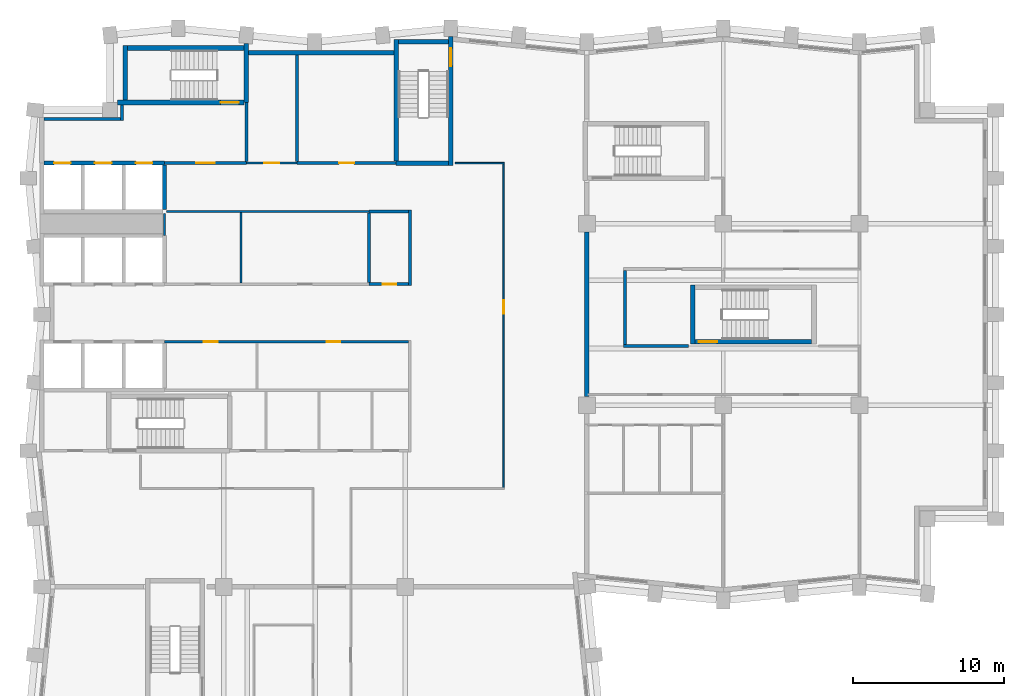
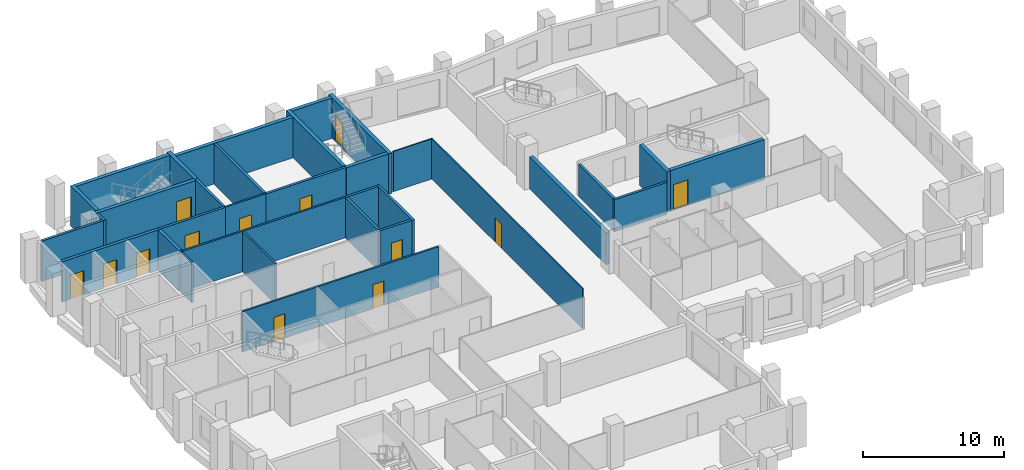
# One storey, part 6 of 10: 33 walls, 13 doors, 13 openings.
"""IFC4 building model written with IfcOpenShell, lengths in metres."""

from ifc_helpers import new_model, si_unit, direction, frame, frame_2d, origin, place, context, subcontext, project, spatial, rectangle, extrude, material, layer, layer_set, type_object, element, fill, save


model = new_model("IFC4")

# Units and contexts
model_context = context("Model", 3, precision=1e-05, world=origin(), true_north=direction((0.0, 1.0)))
body_context = subcontext(model_context, "Body", "Model", "MODEL_VIEW")
ifc_project = project(units=[si_unit("LENGTHUNIT", "METRE"), si_unit("AREAUNIT", "SQUARE_METRE"), si_unit("VOLUMEUNIT", "CUBIC_METRE"), si_unit("PLANEANGLEUNIT", "RADIAN"), si_unit("MASSUNIT", "GRAM", prefix="KILO")], contexts=[model_context])

# Site, building, storey
site_placement = place(None, origin())
site = spatial("IfcSite", under=ifc_project, at=site_placement, CompositionType="ELEMENT")
building_placement = place(site_placement, origin())
building = spatial("IfcBuilding", under=site, at=building_placement, Name="Brondeck Convention Tower", CompositionType="ELEMENT")
storey_placement = place(building_placement, frame((0.0, 0.0, 151.0)))
storey = spatial("IfcBuildingStorey", under=building, at=storey_placement, Name="L36", CompositionType="ELEMENT", Elevation=151.0)

# Walls
ifc_material_1 = material(Name="Concrete compartment wall C30/37", Category="concrete")
ifc_layer_1 = layer(ifc_material_1, 0.300048828125)
ifc_layer_set_1 = layer_set([ifc_layer_1], Name="Compartment wall 300")
wall_type_1 = type_object("IfcWallType", Name="Compartment wall 300", PredefinedType="PARTITIONING", material=ifc_layer_set_1)
wall_1_placement = place(storey_placement, frame((36.0, 39.570068359375, 0.0), z_axis=(0.0, 0.0, 1.0), x_axis=(0.0, 1.0, 0.0)))
element("IfcWall", 1, at=wall_1_placement, inside=storey, type_object=wall_type_1, Name="FLR-L36-W052", PredefinedType="PARTITIONING", context=body_context, shape_type="SweptSolid", body=[
    extrude(rectangle(XDim=10.875, YDim=0.300048828125, at=frame_2d((5.4375, 0.0))), origin(), (0.0, 0.0, 1.0), 2.780029296875),
])
ifc_material_2 = material(Name="Concrete C70/85", Category="concrete")
ifc_layer_2 = layer(ifc_material_2, 0.199951171875)
ifc_layer_set_2 = layer_set([ifc_layer_2], Name="Core beam-seat wall 200 Concrete C70/85")
wall_type_2 = type_object("IfcWallType", Name="Core beam-seat wall 200 Concrete C70/85", PredefinedType="SHEAR", material=ifc_layer_set_2)
wall_2_placement = place(storey_placement, frame((24.300048828125, 46.89990234375, 0.0), z_axis=(0.0, 0.0, 1.0), x_axis=(0.0, 1.0, 0.0)))
element("IfcWall", 2, at=wall_2_placement, inside=storey, type_object=wall_type_2, Name="L36 core wall", PredefinedType="SHEAR", context=body_context, shape_type="SweptSolid", body=[
    extrude(rectangle(XDim=5.0, YDim=0.199951171875, at=frame_2d((2.5, 0.0))), origin(), (0.0, 0.0, 1.0), 3.5),
])
ifc_layer_3 = layer(ifc_material_2, 0.300048828125)
ifc_layer_set_3 = layer_set([ifc_layer_3], Name="Core outer wall 300 Concrete C70/85")
wall_type_3 = type_object("IfcWallType", Name="Core outer wall 300 Concrete C70/85", PredefinedType="SHEAR", material=ifc_layer_set_3)
wall_3_placement = place(storey_placement, frame((13.64990234375, 62.300048828125, 0.0), z_axis=(0.0, 0.0, 1.0), x_axis=(1.0, 0.0, 0.0)))
element("IfcWall", 3, at=wall_3_placement, inside=storey, type_object=wall_type_3, Name="L36 core wall", PredefinedType="SHEAR", context=body_context, shape_type="SweptSolid", body=[
    extrude(rectangle(XDim=9.60009765625, YDim=0.300048828125, at=frame_2d((4.800048828125, 0.0))), origin(), (0.0, 0.0, 1.0), 3.5),
])

# Wall, openings, doors
ifc_material_3 = material(Name="Fire-rated gypsum board partition")
ifc_layer_4 = layer(ifc_material_3, 0.14990234375)
ifc_layer_set_4 = layer_set([ifc_layer_4], Name="Core partition 150 EI 60")
wall_type_4 = type_object("IfcWallType", Name="Core partition 150 EI 60", PredefinedType="PARTITIONING", material=ifc_layer_set_4)
wall_4_placement = place(storey_placement, frame((8.10009765625, 43.199951171875, 0.0), z_axis=(0.0, 0.0, 1.0), x_axis=(1.0, 0.0, 0.0)))
wall_4 = element("IfcWall", 4, at=wall_4_placement, inside=storey, type_object=wall_type_4, Name="L36 core wall", PredefinedType="PARTITIONING", context=body_context, shape_type="SweptSolid", body=[
    extrude(rectangle(XDim=16.125, YDim=0.14990234375, at=frame_2d((8.0625, 0.0))), origin(), (0.0, 0.0, 1.0), 3.5),
])
opening_1_placement = place(wall_4_placement, frame((2.60009765625, 0.0, 0.0)))
opening_1 = element("IfcOpeningElement", 5, at=opening_1_placement, cuts=wall_4, Name="Opening C21-10", PredefinedType="OPENING", context=body_context, shape_type="SweptSolid", body=[
    extrude(rectangle(XDim=0.89990234375, YDim=2.10009765625, at=frame_2d((0.449951171875, 1.050048828125))), frame((0.0, 0.0849609375, 0.0), z_axis=(0.0, -1.0, 0.0), x_axis=(1.0, 0.0, 0.0)), (0.0, 0.0, 1.0), 0.169921875),
])
opening_2_placement = place(wall_4_placement, frame((10.699951171875, 0.0, 0.0)))
opening_2 = element("IfcOpeningElement", 6, at=opening_2_placement, cuts=wall_4, Name="Opening C21-11", PredefinedType="OPENING", context=body_context, shape_type="SweptSolid", body=[
    extrude(rectangle(XDim=0.89990234375, YDim=2.10009765625, at=frame_2d((0.449951171875, 1.050048828125))), frame((0.0, 0.0849609375, 0.0), z_axis=(0.0, -1.0, 0.0), x_axis=(1.0, 0.0, 0.0)), (0.0, 0.0, 1.0), 0.169921875),
])
ifc_material_4 = material(Name="Steel fire door", Category="steel")
door_type_1 = type_object("IfcDoorType", Name="Room door 900x2100 EI 60", OperationType="NOTDEFINED", PredefinedType="DOOR", material=ifc_material_4)
door_1_placement = place(opening_1_placement, origin())
door_1 = element("IfcDoor", 7, at=door_1_placement, inside=storey, type_object=door_type_1, Name="L36 Room door FZ-S-8.1-1", OperationType="SINGLE_SWING_RIGHT", OverallHeight=2.10009765625, OverallWidth=0.89990234375, PredefinedType="DOOR", context=body_context, shape_type="SweptSolid", body=[
    extrude(rectangle(XDim=0.89990234375, YDim=2.10009765625, at=frame_2d((0.449951171875, 1.050048828125))), frame((0.0, 0.02490234375, 0.0), z_axis=(0.0, -1.0, 0.0), x_axis=(1.0, 0.0, 0.0)), (0.0, 0.0, 1.0), 0.050048828125),
])
fill(opening_1, door_1)
door_2_placement = place(opening_2_placement, origin())
door_2 = element("IfcDoor", 8, at=door_2_placement, inside=storey, type_object=door_type_1, Name="L36 Room door FZ-S-8.1-2", OperationType="SINGLE_SWING_LEFT", OverallHeight=2.10009765625, OverallWidth=0.89990234375, PredefinedType="DOOR", context=body_context, shape_type="SweptSolid", body=[
    extrude(rectangle(XDim=0.89990234375, YDim=2.10009765625, at=frame_2d((0.449951171875, 1.050048828125))), frame((0.0, 0.02490234375, 0.0), z_axis=(0.0, -1.0, 0.0), x_axis=(1.0, 0.0, 0.0)), (0.0, 0.0, 1.0), 0.050048828125),
])
fill(opening_2, door_2)

# Wall
wall_5_placement = place(storey_placement, frame((8.22509765625, 51.800048828125, 0.0), z_axis=(0.0, 0.0, 1.0), x_axis=(1.0, 0.0, 0.0)))
element("IfcWall", 9, at=wall_5_placement, inside=storey, type_object=wall_type_4, Name="L36 core wall", PredefinedType="PARTITIONING", context=body_context, shape_type="SweptSolid", body=[
    extrude(rectangle(XDim=13.375, YDim=0.14990234375, at=frame_2d((6.6875, 0.0))), origin(), (0.0, 0.0, 1.0), 3.5),
])

# Wall, opening, door
wall_6_placement = place(storey_placement, frame((13.5, 55.0, 0.0), z_axis=(0.0, 0.0, 1.0), x_axis=(1.0, 0.0, 0.0)))
wall_6 = element("IfcWall", 10, at=wall_6_placement, inside=storey, type_object=wall_type_4, Name="L36 core wall", PredefinedType="PARTITIONING", context=body_context, shape_type="SweptSolid", body=[
    extrude(rectangle(XDim=3.35009765625, YDim=0.14990234375, at=frame_2d((1.675048828125, 0.0))), origin(), (0.0, 0.0, 1.0), 3.5),
])
opening_3_placement = place(wall_6_placement, frame((1.175048828125, 0.0, 0.0)))
opening_3 = element("IfcOpeningElement", 11, at=opening_3_placement, cuts=wall_6, Name="Opening C21-12", PredefinedType="OPENING", context=body_context, shape_type="SweptSolid", body=[
    extrude(rectangle(XDim=1.0, YDim=2.10009765625, at=frame_2d((0.5, 1.050048828125))), frame((0.0, 0.0849609375, 0.0), z_axis=(0.0, -1.0, 0.0), x_axis=(1.0, 0.0, 0.0)), (0.0, 0.0, 1.0), 0.169921875),
])
door_type_2 = type_object("IfcDoorType", Name="Room door 1000x2100 EI 60", OperationType="NOTDEFINED", PredefinedType="DOOR", material=ifc_material_4)
door_3_placement = place(opening_3_placement, origin())
door_3 = element("IfcDoor", 12, at=door_3_placement, inside=storey, type_object=door_type_2, Name="L36 Room door NE-1", OperationType="SINGLE_SWING_LEFT", OverallHeight=2.10009765625, OverallWidth=1.0, PredefinedType="DOOR", context=body_context, shape_type="SweptSolid", body=[
    extrude(rectangle(XDim=1.0, YDim=2.10009765625, at=frame_2d((0.5, 1.050048828125))), frame((0.0, 0.02490234375, 0.0), z_axis=(0.0, -1.0, 0.0), x_axis=(1.0, 0.0, 0.0)), (0.0, 0.0, 1.0), 0.050048828125),
])
fill(opening_3, door_3)

# Walls
wall_7_placement = place(storey_placement, frame((8.10009765625, 50.199951171875, 0.0), z_axis=(0.0, 0.0, 1.0), x_axis=(0.0, 1.0, 0.0)))
element("IfcWall", 13, at=wall_7_placement, inside=storey, type_object=wall_type_4, Name="L36 core wall", PredefinedType="PARTITIONING", context=body_context, shape_type="SweptSolid", body=[
    extrude(rectangle(XDim=1.47509765625, YDim=0.14990234375, at=frame_2d((0.737548828125, 0.0))), origin(), (0.0, 0.0, 1.0), 3.5),
])
wall_8_placement = place(storey_placement, frame((13.14990234375, 47.074951171875, 0.0), z_axis=(0.0, 0.0, 1.0), x_axis=(0.0, 1.0, 0.0)))
element("IfcWall", 14, at=wall_8_placement, inside=storey, type_object=wall_type_4, Name="L36 core wall", PredefinedType="PARTITIONING", context=body_context, shape_type="SweptSolid", body=[
    extrude(rectangle(XDim=4.650146484375, YDim=0.14990234375, at=frame_2d((2.3251953125, 0.0))), origin(), (0.0, 0.0, 1.0), 3.5),
])

# Wall, opening, door
ifc_layer_5 = layer(ifc_material_3, 0.199951171875)
ifc_layer_set_5 = layer_set([ifc_layer_5], Name="Firefighting lobby wall 200 EI 120")
wall_type_5 = type_object("IfcWallType", Name="Firefighting lobby wall 200 EI 120", PredefinedType="PARTITIONING", material=ifc_layer_set_5)
wall_9_placement = place(storey_placement, frame((8.10009765625, 55.0, 0.0), z_axis=(0.0, 0.0, 1.0), x_axis=(1.0, 0.0, 0.0)))
wall_9 = element("IfcWall", 15, at=wall_9_placement, inside=storey, type_object=wall_type_5, Name="L36 core wall", PredefinedType="PARTITIONING", context=body_context, shape_type="SweptSolid", body=[
    extrude(rectangle(XDim=5.39990234375, YDim=0.199951171875, at=frame_2d((2.699951171875, 0.0))), origin(), (0.0, 0.0, 1.0), 3.5),
])
opening_4_placement = place(wall_9_placement, frame((2.10009765625, 0.0, 0.0)))
opening_4 = element("IfcOpeningElement", 16, at=opening_4_placement, cuts=wall_9, Name="Opening C21-01", PredefinedType="OPENING", context=body_context, shape_type="SweptSolid", body=[
    extrude(rectangle(XDim=1.199951171875, YDim=2.199951171875, at=frame_2d((0.60009765625, 1.10009765625))), frame((0.0, 0.10986328125, 0.0), z_axis=(0.0, -1.0, 0.0), x_axis=(1.0, 0.0, 0.0)), (0.0, 0.0, 1.0), 0.219970703125),
])
door_type_3 = type_object("IfcDoorType", Name="Firefighting lobby door 1200x2200 EI 120", OperationType="NOTDEFINED", PredefinedType="DOOR", material=ifc_material_4)
door_4_placement = place(opening_4_placement, origin())
door_4 = element("IfcDoor", 17, at=door_4_placement, inside=storey, type_object=door_type_3, Name="L36 Firefighting lobby door FFL-1", OperationType="SINGLE_SWING_RIGHT", OverallHeight=2.199951171875, OverallWidth=1.199951171875, PredefinedType="DOOR", context=body_context, shape_type="SweptSolid", body=[
    extrude(rectangle(XDim=1.199951171875, YDim=2.199951171875, at=frame_2d((0.60009765625, 1.10009765625))), frame((0.0, 0.02490234375, 0.0), z_axis=(0.0, -1.0, 0.0), x_axis=(1.0, 0.0, 0.0)), (0.0, 0.0, 1.0), 0.050048828125),
])
fill(opening_4, door_4)

# Walls
wall_10_placement = place(storey_placement, frame((0.14990234375, 57.89990234375, 0.0), z_axis=(0.0, 0.0, 1.0), x_axis=(1.0, 0.0, 0.0)))
element("IfcWall", 18, at=wall_10_placement, inside=storey, type_object=wall_type_5, Name="L36 core wall", PredefinedType="PARTITIONING", context=body_context, shape_type="SweptSolid", body=[
    extrude(rectangle(XDim=5.050048828125, YDim=0.199951171875, at=frame_2d((2.52490234375, 0.0))), origin(), (0.0, 0.0, 1.0), 3.5),
])
wall_11_placement = place(storey_placement, frame((5.300048828125, 57.800048828125, 0.0), z_axis=(0.0, 0.0, 1.0), x_axis=(0.0, 1.0, 0.0)))
element("IfcWall", 19, at=wall_11_placement, inside=storey, type_object=wall_type_5, Name="L36 core wall", PredefinedType="PARTITIONING", context=body_context, shape_type="SweptSolid", body=[
    extrude(rectangle(XDim=1.050048828125, YDim=0.199951171875, at=frame_2d((0.52490234375, 0.0))), origin(), (0.0, 0.0, 1.0), 3.5),
])
wall_12_placement = place(storey_placement, frame((13.5, 55.10009765625, 0.0), z_axis=(0.0, 0.0, 1.0), x_axis=(0.0, 1.0, 0.0)))
element("IfcWall", 20, at=wall_12_placement, inside=storey, type_object=wall_type_5, Name="L36 core wall", PredefinedType="PARTITIONING", context=body_context, shape_type="SweptSolid", body=[
    extrude(rectangle(XDim=3.89990234375, YDim=0.199951171875, at=frame_2d((1.949951171875, 0.0))), origin(), (0.0, 0.0, 1.0), 3.5),
])

# Wall, openings, doors
ifc_layer_6 = layer(ifc_material_2, 0.25)
ifc_layer_set_6 = layer_set([ifc_layer_6], Name="Lift shaft wall 250 Concrete C70/85")
wall_type_6 = type_object("IfcWallType", Name="Lift shaft wall 250 Concrete C70/85", PredefinedType="SHEAR", material=ifc_layer_set_6)
wall_13_placement = place(storey_placement, frame((0.14990234375, 55.0, 0.0), z_axis=(0.0, 0.0, 1.0), x_axis=(1.0, 0.0, 0.0)))
wall_13 = element("IfcWall", 21, at=wall_13_placement, inside=storey, type_object=wall_type_6, Name="L36 core wall", PredefinedType="SHEAR", context=body_context, shape_type="SweptSolid", body=[
    extrude(rectangle(XDim=7.9501953125, YDim=0.25, at=frame_2d((3.97509765625, 0.0))), origin(), (0.0, 0.0, 1.0), 3.5),
])
opening_5_placement = place(wall_13_placement, frame((0.64990234375, 0.0, 0.0)))
opening_5 = element("IfcOpeningElement", 22, at=opening_5_placement, cuts=wall_13, Name="Opening C21-21", PredefinedType="OPENING", context=body_context, shape_type="SweptSolid", body=[
    extrude(rectangle(XDim=1.10009765625, YDim=2.10009765625, at=frame_2d((0.550048828125, 1.050048828125))), frame((0.0, 0.135009765625, 0.0), z_axis=(0.0, -1.0, 0.0), x_axis=(1.0, 0.0, 0.0)), (0.0, 0.0, 1.0), 0.27001953125),
])
opening_6_placement = place(wall_13_placement, frame((3.35009765625, 0.0, 0.0)))
opening_6 = element("IfcOpeningElement", 23, at=opening_6_placement, cuts=wall_13, Name="Opening C21-22", PredefinedType="OPENING", context=body_context, shape_type="SweptSolid", body=[
    extrude(rectangle(XDim=1.10009765625, YDim=2.10009765625, at=frame_2d((0.550048828125, 1.050048828125))), frame((0.0, 0.135009765625, 0.0), z_axis=(0.0, -1.0, 0.0), x_axis=(1.0, 0.0, 0.0)), (0.0, 0.0, 1.0), 0.27001953125),
])
opening_7_placement = place(wall_13_placement, frame((6.050048828125, 0.0, 0.0)))
opening_7 = element("IfcOpeningElement", 24, at=opening_7_placement, cuts=wall_13, Name="Opening C21-23", PredefinedType="OPENING", context=body_context, shape_type="SweptSolid", body=[
    extrude(rectangle(XDim=1.10009765625, YDim=2.10009765625, at=frame_2d((0.550048828125, 1.050048828125))), frame((0.0, 0.135009765625, 0.0), z_axis=(0.0, -1.0, 0.0), x_axis=(1.0, 0.0, 0.0)), (0.0, 0.0, 1.0), 0.27001953125),
])
ifc_material_5 = material(Name="Stainless steel lift door", Category="steel")
door_type_4 = type_object("IfcDoorType", Name="Lift landing door 1100x2100 EI 180", OperationType="DOUBLE_DOOR_SLIDING", PredefinedType="DOOR", material=ifc_material_5)
door_5_placement = place(opening_5_placement, origin())
door_5 = element("IfcDoor", 25, at=door_5_placement, inside=storey, type_object=door_type_4, Name="L36 Lift landing door FF1", OperationType="DOUBLE_DOOR_SLIDING", OverallHeight=2.10009765625, OverallWidth=1.10009765625, PredefinedType="DOOR", context=body_context, shape_type="SweptSolid", body=[
    extrude(rectangle(XDim=1.10009765625, YDim=2.10009765625, at=frame_2d((0.550048828125, 1.050048828125))), frame((0.0, 0.02490234375, 0.0), z_axis=(0.0, -1.0, 0.0), x_axis=(1.0, 0.0, 0.0)), (0.0, 0.0, 1.0), 0.050048828125),
])
fill(opening_5, door_5)
door_6_placement = place(opening_6_placement, origin())
door_6 = element("IfcDoor", 26, at=door_6_placement, inside=storey, type_object=door_type_4, Name="L36 Lift landing door FF2", OperationType="DOUBLE_DOOR_SLIDING", OverallHeight=2.10009765625, OverallWidth=1.10009765625, PredefinedType="DOOR", context=body_context, shape_type="SweptSolid", body=[
    extrude(rectangle(XDim=1.10009765625, YDim=2.10009765625, at=frame_2d((0.550048828125, 1.050048828125))), frame((0.0, 0.02490234375, 0.0), z_axis=(0.0, -1.0, 0.0), x_axis=(1.0, 0.0, 0.0)), (0.0, 0.0, 1.0), 0.050048828125),
])
fill(opening_6, door_6)
door_7_placement = place(opening_7_placement, origin())
door_7 = element("IfcDoor", 27, at=door_7_placement, inside=storey, type_object=door_type_4, Name="L36 Lift landing door FF3", OperationType="DOUBLE_DOOR_SLIDING", OverallHeight=2.10009765625, OverallWidth=1.10009765625, PredefinedType="DOOR", context=body_context, shape_type="SweptSolid", body=[
    extrude(rectangle(XDim=1.10009765625, YDim=2.10009765625, at=frame_2d((0.550048828125, 1.050048828125))), frame((0.0, 0.02490234375, 0.0), z_axis=(0.0, -1.0, 0.0), x_axis=(1.0, 0.0, 0.0)), (0.0, 0.0, 1.0), 0.050048828125),
])
fill(opening_7, door_7)

# Walls
wall_14_placement = place(storey_placement, frame((8.10009765625, 51.925048828125, 0.0), z_axis=(0.0, 0.0, 1.0), x_axis=(0.0, 1.0, 0.0)))
element("IfcWall", 28, at=wall_14_placement, inside=storey, type_object=wall_type_6, Name="L36 core wall", PredefinedType="SHEAR", context=body_context, shape_type="SweptSolid", body=[
    extrude(rectangle(XDim=2.949951171875, YDim=0.25, at=frame_2d((1.47509765625, 0.0))), origin(), (0.0, 0.0, 1.0), 3.5),
])
ifc_material_6 = material(Name="Concrete block wall C16/20", Category="concrete")
ifc_layer_7 = layer(ifc_material_6, 0.199951171875)
ifc_layer_set_7 = layer_set([ifc_layer_7], Name="Plant room wall 200")
wall_type_7 = type_object("IfcWallType", Name="Plant room wall 200", PredefinedType="PARTITIONING", material=ifc_layer_set_7)
wall_15_placement = place(storey_placement, frame((38.39990234375, 42.89990234375, 0.0), z_axis=(0.0, 0.0, 1.0), x_axis=(1.0, 0.0, 0.0)))
element("IfcWall", 29, at=wall_15_placement, inside=storey, type_object=wall_type_7, Name="FLR-L36-W054", PredefinedType="PARTITIONING", context=body_context, shape_type="SweptSolid", body=[
    extrude(rectangle(XDim=4.300048828125, YDim=0.199951171875, at=frame_2d((2.14990234375, 0.0))), origin(), (0.0, 0.0, 1.0), 2.780029296875),
])
wall_16_placement = place(storey_placement, frame((38.5, 47.89990234375, 0.0), z_axis=(0.0, 0.0, 1.0), x_axis=(0.0, -1.0, 0.0)))
element("IfcWall", 30, at=wall_16_placement, inside=storey, type_object=wall_type_7, Name="FLR-L36-W056", PredefinedType="PARTITIONING", context=body_context, shape_type="SweptSolid", body=[
    extrude(rectangle(XDim=4.89990234375, YDim=0.199951171875, at=frame_2d((2.449951171875, 0.0))), origin(), (0.0, 0.0, 1.0), 2.780029296875),
])

# Wall, opening, door
ifc_layer_8 = layer(ifc_material_3, 0.199951171875)
ifc_layer_set_8 = layer_set([ifc_layer_8], Name="Riser wall 200 EI 120")
wall_type_8 = type_object("IfcWallType", Name="Riser wall 200 EI 120", PredefinedType="PARTITIONING", material=ifc_layer_set_8)
wall_17_placement = place(storey_placement, frame((21.60009765625, 47.0, 0.0), z_axis=(0.0, 0.0, 1.0), x_axis=(1.0, 0.0, 0.0)))
wall_17 = element("IfcWall", 31, at=wall_17_placement, inside=storey, type_object=wall_type_8, Name="L36 core wall", PredefinedType="PARTITIONING", context=body_context, shape_type="SweptSolid", body=[
    extrude(rectangle(XDim=2.599853515625, YDim=0.199951171875, at=frame_2d((1.2998046875, 0.0))), origin(), (0.0, 0.0, 1.0), 3.5),
])
opening_8_placement = place(wall_17_placement, frame((0.89990234375, 0.0, 0.0)))
opening_8 = element("IfcOpeningElement", 32, at=opening_8_placement, cuts=wall_17, Name="Opening C21-02", PredefinedType="OPENING", context=body_context, shape_type="SweptSolid", body=[
    extrude(rectangle(XDim=0.89990234375, YDim=2.10009765625, at=frame_2d((0.449951171875, 1.050048828125))), frame((0.0, 0.10986328125, 0.0), z_axis=(0.0, -1.0, 0.0), x_axis=(1.0, 0.0, 0.0)), (0.0, 0.0, 1.0), 0.219970703125),
])
door_type_5 = type_object("IfcDoorType", Name="Riser door 900x2100 EI 120", OperationType="NOTDEFINED", PredefinedType="DOOR", material=ifc_material_4)
door_8_placement = place(opening_8_placement, origin())
door_8 = element("IfcDoor", 33, at=door_8_placement, inside=storey, type_object=door_type_5, Name="L36 Riser door EN-1", OperationType="SINGLE_SWING_LEFT", OverallHeight=2.10009765625, OverallWidth=0.89990234375, PredefinedType="DOOR", context=body_context, shape_type="SweptSolid", body=[
    extrude(rectangle(XDim=0.89990234375, YDim=2.10009765625, at=frame_2d((0.449951171875, 1.050048828125))), frame((0.0, 0.02490234375, 0.0), z_axis=(0.0, -1.0, 0.0), x_axis=(1.0, 0.0, 0.0)), (0.0, 0.0, 1.0), 0.050048828125),
])
fill(opening_8, door_8)

# Wall
wall_18_placement = place(storey_placement, frame((21.60009765625, 51.800048828125, 0.0), z_axis=(0.0, 0.0, 1.0), x_axis=(1.0, 0.0, 0.0)))
element("IfcWall", 34, at=wall_18_placement, inside=storey, type_object=wall_type_8, Name="L36 core wall", PredefinedType="PARTITIONING", context=body_context, shape_type="SweptSolid", body=[
    extrude(rectangle(XDim=2.599853515625, YDim=0.199951171875, at=frame_2d((1.2998046875, 0.0))), origin(), (0.0, 0.0, 1.0), 3.5),
])

# Wall, opening, door
wall_19_placement = place(storey_placement, frame((16.85009765625, 55.0, 0.0), z_axis=(0.0, 0.0, 1.0), x_axis=(1.0, 0.0, 0.0)))
wall_19 = element("IfcWall", 35, at=wall_19_placement, inside=storey, type_object=wall_type_8, Name="L36 core wall", PredefinedType="PARTITIONING", context=body_context, shape_type="SweptSolid", body=[
    extrude(rectangle(XDim=6.5498046875, YDim=0.199951171875, at=frame_2d((3.27490234375, 0.0))), origin(), (0.0, 0.0, 1.0), 3.5),
])
opening_9_placement = place(wall_19_placement, frame((2.77490234375, 0.0, 0.0)))
opening_9 = element("IfcOpeningElement", 36, at=opening_9_placement, cuts=wall_19, Name="Opening C21-13", PredefinedType="OPENING", context=body_context, shape_type="SweptSolid", body=[
    extrude(rectangle(XDim=1.0, YDim=2.10009765625, at=frame_2d((0.5, 1.050048828125))), frame((0.0, 0.10986328125, 0.0), z_axis=(0.0, -1.0, 0.0), x_axis=(1.0, 0.0, 0.0)), (0.0, 0.0, 1.0), 0.219970703125),
])
door_type_6 = type_object("IfcDoorType", Name="Riser door 1000x2100 EI 120", OperationType="NOTDEFINED", PredefinedType="DOOR", material=ifc_material_4)
door_9_placement = place(opening_9_placement, origin())
door_9 = element("IfcDoor", 37, at=door_9_placement, inside=storey, type_object=door_type_6, Name="L36 Riser door NE-2", OperationType="SINGLE_SWING_RIGHT", OverallHeight=2.10009765625, OverallWidth=1.0, PredefinedType="DOOR", context=body_context, shape_type="SweptSolid", body=[
    extrude(rectangle(XDim=1.0, YDim=2.10009765625, at=frame_2d((0.5, 1.050048828125))), frame((0.0, 0.02490234375, 0.0), z_axis=(0.0, -1.0, 0.0), x_axis=(1.0, 0.0, 0.0)), (0.0, 0.0, 1.0), 0.050048828125),
])
fill(opening_9, door_9)

# Walls
wall_20_placement = place(storey_placement, frame((16.85009765625, 55.10009765625, 0.0), z_axis=(0.0, 0.0, 1.0), x_axis=(0.0, 1.0, 0.0)))
element("IfcWall", 38, at=wall_20_placement, inside=storey, type_object=wall_type_8, Name="L36 core wall", PredefinedType="PARTITIONING", context=body_context, shape_type="SweptSolid", body=[
    extrude(rectangle(XDim=7.0498046875, YDim=0.199951171875, at=frame_2d((3.52490234375, 0.0))), origin(), (0.0, 0.0, 1.0), 3.5),
])
wall_21_placement = place(storey_placement, frame((21.60009765625, 47.10009765625, 0.0), z_axis=(0.0, 0.0, 1.0), x_axis=(0.0, 1.0, 0.0)))
element("IfcWall", 39, at=wall_21_placement, inside=storey, type_object=wall_type_8, Name="L36 core wall", PredefinedType="PARTITIONING", context=body_context, shape_type="SweptSolid", body=[
    extrude(rectangle(XDim=4.599853515625, YDim=0.199951171875, at=frame_2d((2.2998046875, 0.0))), origin(), (0.0, 0.0, 1.0), 3.5),
])

# Wall, opening, door
ifc_material_7 = material(Name="Gypsum board partition on steel studs", Category="steel")
ifc_layer_9 = layer(ifc_material_7, 0.10009765625)
ifc_layer_set_9 = layer_set([ifc_layer_9], Name="Room partition 100")
wall_type_9 = type_object("IfcWallType", Name="Room partition 100", PredefinedType="PARTITIONING", material=ifc_layer_set_9)
wall_22_placement = place(storey_placement, frame((30.5, 54.949951171875, 0.0), z_axis=(0.0, 0.0, 1.0), x_axis=(0.0, -1.0, 0.0)))
wall_22 = element("IfcWall", 40, at=wall_22_placement, inside=storey, type_object=wall_type_9, Name="FLR-L36-W066", PredefinedType="PARTITIONING", context=body_context, shape_type="SweptSolid", body=[
    extrude(rectangle(XDim=21.39990234375, YDim=0.10009765625, at=frame_2d((10.699951171875, 0.0))), origin(), (0.0, 0.0, 1.0), 3.47998046875),
])
opening_10_placement = place(wall_22_placement, frame((9.0, 0.0, 0.0)))
opening_10 = element("IfcOpeningElement", 41, at=opening_10_placement, cuts=wall_22, Name="Opening OF-F2-017", PredefinedType="OPENING", context=body_context, shape_type="SweptSolid", body=[
    extrude(rectangle(XDim=0.89990234375, YDim=2.10009765625, at=frame_2d((0.449951171875, 1.050048828125))), frame((0.0, 0.06005859375, 0.0), z_axis=(0.0, -1.0, 0.0), x_axis=(1.0, 0.0, 0.0)), (0.0, 0.0, 1.0), 0.1201171875),
])
ifc_material_8 = material(Name="Solid timber door leaf", Category="wood")
door_type_7 = type_object("IfcDoorType", Name="Single door 900", OperationType="NOTDEFINED", PredefinedType="DOOR", material=ifc_material_8)
door_10_placement = place(opening_10_placement, origin())
door_10 = element("IfcDoor", 42, at=door_10_placement, inside=storey, type_object=door_type_7, Name="Door OF-F2-017", OperationType="SINGLE_SWING_LEFT", OverallHeight=2.10009765625, OverallWidth=0.89990234375, PredefinedType="DOOR", context=body_context, shape_type="SweptSolid", body=[
    extrude(rectangle(XDim=0.89990234375, YDim=2.10009765625, at=frame_2d((0.449951171875, 1.050048828125))), frame((0.0, 0.02490234375, 0.0), z_axis=(0.0, -1.0, 0.0), x_axis=(1.0, 0.0, 0.0)), (0.0, 0.0, 1.0), 0.050048828125),
])
fill(opening_10, door_10)

# Wall
wall_23_placement = place(storey_placement, frame((27.300048828125, 55.0, 0.0), z_axis=(0.0, 0.0, 1.0), x_axis=(1.0, 0.0, 0.0)))
element("IfcWall", 43, at=wall_23_placement, inside=storey, type_object=wall_type_9, Name="FLR-L36-W067", PredefinedType="PARTITIONING", context=body_context, shape_type="SweptSolid", body=[
    extrude(rectangle(XDim=3.25, YDim=0.10009765625, at=frame_2d((1.625, 0.0))), origin(), (0.0, 0.0, 1.0), 3.47998046875),
])

# Wall, opening, door
ifc_layer_10 = layer(ifc_material_2, 0.300048828125)
ifc_layer_set_10 = layer_set([ifc_layer_10], Name="Stair enclosure wall 300 Concrete C70/85")
wall_type_10 = type_object("IfcWallType", Name="Stair enclosure wall 300 Concrete C70/85", PredefinedType="SHEAR", material=ifc_layer_set_10)
wall_24_placement = place(storey_placement, frame((43.14990234375, 43.199951171875, 0.0), z_axis=(0.0, 0.0, 1.0), x_axis=(1.0, 0.0, 0.0)))
wall_24 = element("IfcWall", 44, at=wall_24_placement, inside=storey, type_object=wall_type_10, Name="L36 core wall", PredefinedType="SHEAR", context=body_context, shape_type="SweptSolid", body=[
    extrude(rectangle(XDim=7.7001953125, YDim=0.300048828125, at=frame_2d((3.85009765625, 0.0))), origin(), (0.0, 0.0, 1.0), 3.5),
])
opening_11_placement = place(wall_24_placement, frame((0.25, 0.0, 0.0)))
opening_11 = element("IfcOpeningElement", 45, at=opening_11_placement, cuts=wall_24, Name="Opening C21-18", PredefinedType="OPENING", context=body_context, shape_type="SweptSolid", body=[
    extrude(rectangle(XDim=1.199951171875, YDim=2.199951171875, at=frame_2d((0.60009765625, 1.10009765625))), frame((0.0, 0.159912109375, 0.0), z_axis=(0.0, -1.0, 0.0), x_axis=(1.0, 0.0, 0.0)), (0.0, 0.0, 1.0), 0.320068359375),
])
door_type_8 = type_object("IfcDoorType", Name="Stair door 1200x2200 EI 90", OperationType="NOTDEFINED", PredefinedType="DOOR", material=ifc_material_4)
door_11_placement = place(opening_11_placement, origin())
door_11 = element("IfcDoor", 46, at=door_11_placement, inside=storey, type_object=door_type_8, Name="L36 Stair door ST-AF", OperationType="SINGLE_SWING_RIGHT", OverallHeight=2.199951171875, OverallWidth=1.199951171875, PredefinedType="DOOR", context=body_context, shape_type="SweptSolid", body=[
    extrude(rectangle(XDim=1.199951171875, YDim=2.199951171875, at=frame_2d((0.60009765625, 1.10009765625))), frame((0.0, 0.02490234375, 0.0), z_axis=(0.0, -1.0, 0.0), x_axis=(1.0, 0.0, 0.0)), (0.0, 0.0, 1.0), 0.050048828125),
])
fill(opening_11, door_11)

# Wall
wall_25_placement = place(storey_placement, frame((23.39990234375, 55.0, 0.0), z_axis=(0.0, 0.0, 1.0), x_axis=(1.0, 0.0, 0.0)))
element("IfcWall", 47, at=wall_25_placement, inside=storey, type_object=wall_type_10, Name="L36 core wall", PredefinedType="SHEAR", context=body_context, shape_type="SweptSolid", body=[
    extrude(rectangle(XDim=3.4501953125, YDim=0.300048828125, at=frame_2d((1.72509765625, 0.0))), origin(), (0.0, 0.0, 1.0), 3.5),
])

# Wall, opening, door
wall_26_placement = place(storey_placement, frame((5.0, 59.0, 0.0), z_axis=(0.0, 0.0, 1.0), x_axis=(1.0, 0.0, 0.0)))
wall_26 = element("IfcWall", 48, at=wall_26_placement, inside=storey, type_object=wall_type_10, Name="L36 core wall", PredefinedType="SHEAR", context=body_context, shape_type="SweptSolid", body=[
    extrude(rectangle(XDim=8.35009765625, YDim=0.300048828125, at=frame_2d((4.175048828125, 0.0))), origin(), (0.0, 0.0, 1.0), 3.5),
])
opening_12_placement = place(wall_26_placement, frame((6.800048828125, 0.0, 0.0)))
opening_12 = element("IfcOpeningElement", 49, at=opening_12_placement, cuts=wall_26, Name="Opening C21-16", PredefinedType="OPENING", context=body_context, shape_type="SweptSolid", body=[
    extrude(rectangle(XDim=1.199951171875, YDim=2.199951171875, at=frame_2d((0.60009765625, 1.10009765625))), frame((0.0, 0.159912109375, 0.0), z_axis=(0.0, -1.0, 0.0), x_axis=(1.0, 0.0, 0.0)), (0.0, 0.0, 1.0), 0.320068359375),
])
door_type_9 = type_object("IfcDoorType", Name="Stair door 1200x2200 EI 120", OperationType="NOTDEFINED", PredefinedType="DOOR", material=ifc_material_4)
door_12_placement = place(opening_12_placement, origin())
door_12 = element("IfcDoor", 50, at=door_12_placement, inside=storey, type_object=door_type_9, Name="L36 Stair door ST-3", OperationType="SINGLE_SWING_RIGHT", OverallHeight=2.199951171875, OverallWidth=1.199951171875, PredefinedType="DOOR", context=body_context, shape_type="SweptSolid", body=[
    extrude(rectangle(XDim=1.199951171875, YDim=2.199951171875, at=frame_2d((0.60009765625, 1.10009765625))), frame((0.0, 0.02490234375, 0.0), z_axis=(0.0, -1.0, 0.0), x_axis=(1.0, 0.0, 0.0)), (0.0, 0.0, 1.0), 0.050048828125),
])
fill(opening_12, door_12)

# Walls
wall_27_placement = place(storey_placement, frame((5.64990234375, 62.60009765625, 0.0), z_axis=(0.0, 0.0, 1.0), x_axis=(1.0, 0.0, 0.0)))
element("IfcWall", 51, at=wall_27_placement, inside=storey, type_object=wall_type_10, Name="L36 core wall", PredefinedType="SHEAR", context=body_context, shape_type="SweptSolid", body=[
    extrude(rectangle(XDim=7.7001953125, YDim=0.300048828125, at=frame_2d((3.85009765625, 0.0))), origin(), (0.0, 0.0, 1.0), 3.5),
])
wall_28_placement = place(storey_placement, frame((23.550048828125, 63.0, 0.0), z_axis=(0.0, 0.0, 1.0), x_axis=(1.0, 0.0, 0.0)))
element("IfcWall", 52, at=wall_28_placement, inside=storey, type_object=wall_type_10, Name="L36 core wall", PredefinedType="SHEAR", context=body_context, shape_type="SweptSolid", body=[
    extrude(rectangle(XDim=3.300048828125, YDim=0.300048828125, at=frame_2d((1.64990234375, 0.0))), origin(), (0.0, 0.0, 1.0), 3.5),
])
wall_29_placement = place(storey_placement, frame((5.5, 59.14990234375, 0.0), z_axis=(0.0, 0.0, 1.0), x_axis=(0.0, 1.0, 0.0)))
element("IfcWall", 53, at=wall_29_placement, inside=storey, type_object=wall_type_10, Name="L36 core wall", PredefinedType="SHEAR", context=body_context, shape_type="SweptSolid", body=[
    extrude(rectangle(XDim=3.60009765625, YDim=0.300048828125, at=frame_2d((1.800048828125, 0.0))), origin(), (0.0, 0.0, 1.0), 3.5),
])
wall_30_placement = place(storey_placement, frame((13.5, 59.0, 0.0), z_axis=(0.0, 0.0, 1.0), x_axis=(0.0, 1.0, 0.0)))
element("IfcWall", 54, at=wall_30_placement, inside=storey, type_object=wall_type_10, Name="L36 core wall", PredefinedType="SHEAR", context=body_context, shape_type="SweptSolid", body=[
    extrude(rectangle(XDim=3.897216796875, YDim=0.300048828125, at=frame_2d((1.94873046875, 0.0))), origin(), (0.0, 0.0, 1.0), 3.5),
])
wall_31_placement = place(storey_placement, frame((23.39990234375, 55.14990234375, 0.0), z_axis=(0.0, 0.0, 1.0), x_axis=(0.0, 1.0, 0.0)))
element("IfcWall", 55, at=wall_31_placement, inside=storey, type_object=wall_type_10, Name="L36 core wall", PredefinedType="SHEAR", context=body_context, shape_type="SweptSolid", body=[
    extrude(rectangle(XDim=8.0, YDim=0.300048828125, at=frame_2d((4.0, 0.0))), origin(), (0.0, 0.0, 1.0), 3.5),
])

# Wall, opening, door
wall_32_placement = place(storey_placement, frame((27.0, 54.85009765625, 0.0), z_axis=(0.0, 0.0, 1.0), x_axis=(0.0, 1.0, 0.0)))
wall_32 = element("IfcWall", 56, at=wall_32_placement, inside=storey, type_object=wall_type_10, Name="L36 core wall", PredefinedType="SHEAR", context=body_context, shape_type="SweptSolid", body=[
    extrude(rectangle(XDim=8.5, YDim=0.300048828125, at=frame_2d((4.25, 0.0))), origin(), (0.0, 0.0, 1.0), 3.5),
])
opening_13_placement = place(wall_32_placement, frame((6.550048828125, 0.0, 0.0)))
opening_13 = element("IfcOpeningElement", 57, at=opening_13_placement, cuts=wall_32, Name="Opening C21-15", PredefinedType="OPENING", context=body_context, shape_type="SweptSolid", body=[
    extrude(rectangle(XDim=1.199951171875, YDim=2.199951171875, at=frame_2d((0.60009765625, 1.10009765625))), frame((0.0, 0.159912109375, 0.0), z_axis=(0.0, -1.0, 0.0), x_axis=(1.0, 0.0, 0.0)), (0.0, 0.0, 1.0), 0.320068359375),
])
door_13_placement = place(opening_13_placement, origin())
door_13 = element("IfcDoor", 58, at=door_13_placement, inside=storey, type_object=door_type_8, Name="L36 Stair door ST-2", OperationType="SINGLE_SWING_LEFT", OverallHeight=2.199951171875, OverallWidth=1.199951171875, PredefinedType="DOOR", context=body_context, shape_type="SweptSolid", body=[
    extrude(rectangle(XDim=1.199951171875, YDim=2.199951171875, at=frame_2d((0.60009765625, 1.10009765625))), frame((0.0, 0.02490234375, 0.0), z_axis=(0.0, -1.0, 0.0), x_axis=(1.0, 0.0, 0.0)), (0.0, 0.0, 1.0), 0.050048828125),
])
fill(opening_13, door_13)

# Wall
wall_33_placement = place(storey_placement, frame((43.0, 43.050048828125, 0.0), z_axis=(0.0, 0.0, 1.0), x_axis=(0.0, 1.0, 0.0)))
element("IfcWall", 59, at=wall_33_placement, inside=storey, type_object=wall_type_10, Name="L36 core wall", PredefinedType="SHEAR", context=body_context, shape_type="SweptSolid", body=[
    extrude(rectangle(XDim=3.89990234375, YDim=0.300048828125, at=frame_2d((1.949951171875, 0.0))), origin(), (0.0, 0.0, 1.0), 3.5),
])

save(model, "model.ifc")
